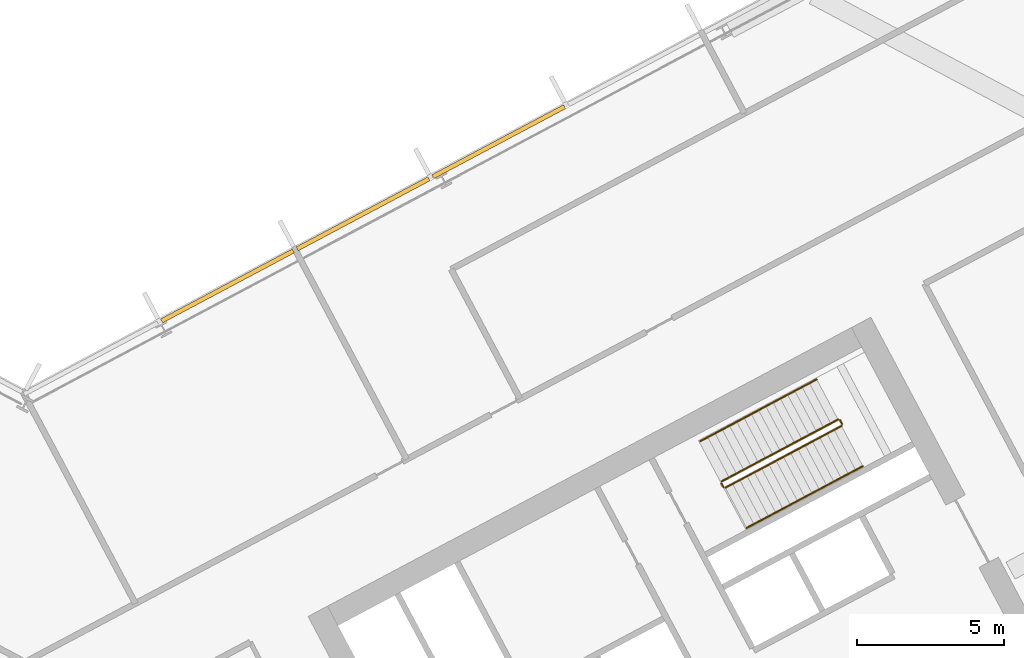
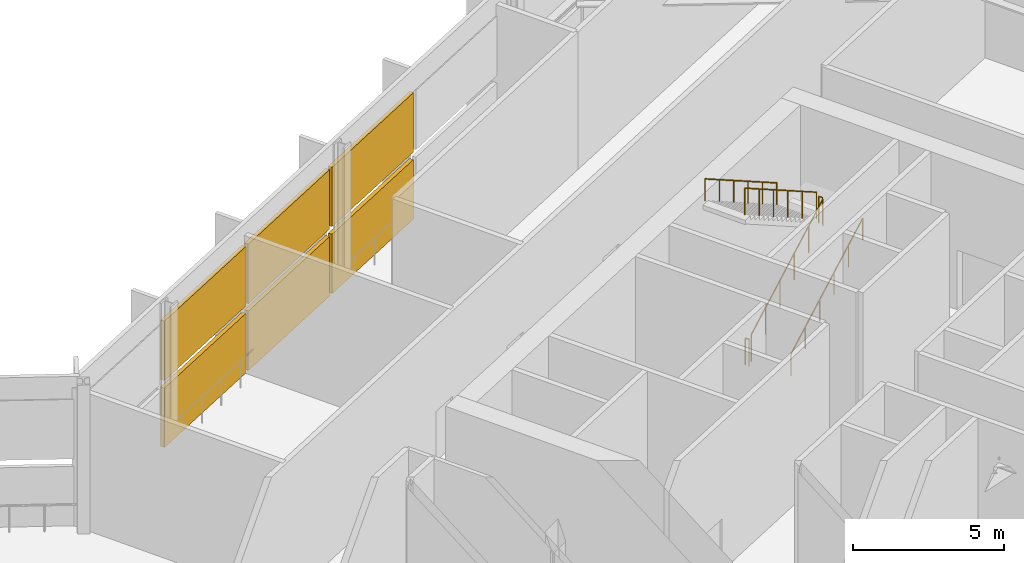
# One storey, part 31 of 33: 6 railings, 6 shading devices, 1 element without a shape of its own.
"""IFC4 building model written with IfcOpenShell, lengths in metres."""

from ifc_helpers import new_model, si_unit, direction, frame, origin, origin_2d, place, context, subcontext, project, spatial, polyline, rectangle, outline, extrude, material, layer, layer_set, type_object, element, aggregate, save


model = new_model("IFC4")

# Units and contexts
model_context = context("Model", 3, precision=1e-05, world=origin(), true_north=direction((0.0, 1.0)))
body_context = subcontext(model_context, "Body", "Model", "MODEL_VIEW")
ifc_project = project(units=[si_unit("LENGTHUNIT", "METRE"), si_unit("AREAUNIT", "SQUARE_METRE"), si_unit("VOLUMEUNIT", "CUBIC_METRE"), si_unit("PLANEANGLEUNIT", "RADIAN"), si_unit("MASSUNIT", "GRAM", prefix="KILO")], contexts=[model_context])

# Site, building, storey
site_placement = place(None, origin())
site = spatial("IfcSite", under=ifc_project, at=site_placement, CompositionType="ELEMENT")
building_placement = place(site_placement, origin())
building = spatial("IfcBuilding", under=site, at=building_placement, Name="Cormorant Relay Tower", CompositionType="ELEMENT")
storey_placement = place(building_placement, frame((0.0, 0.0, 183.60009765625)))
storey = spatial("IfcBuildingStorey", under=building, at=storey_placement, Name="L39", CompositionType="ELEMENT", Elevation=183.60009765625)

# Curtain wall, shading devices
ifc_material_1 = material(Name="Aluminium 6063-T6 anodised bronze", Category="aluminium")
ifc_layer = layer(ifc_material_1, 0.199951171875)
ifc_layer_set = layer_set([ifc_layer], Name="CW4 band louvre wall")
curtain_wall_type = type_object("IfcCurtainWallType", Name="CW4 band louvre wall", PredefinedType="NOTDEFINED", material=ifc_layer_set)
curtain_wall_placement = place(storey_placement, origin())
curtain_wall = element("IfcCurtainWall", 1, at=curtain_wall_placement, inside=storey, type_object=curtain_wall_type, Name="CW4 curtain wall 8", PredefinedType="NOTDEFINED")
ifc_material_2 = material(Name="Aluminium 6063-T6 anodised bronze louvre", Category="aluminium")
shading_device_type = type_object("IfcShadingDeviceType", Name="CW4 bronze louvre bank 150 x 2400", PredefinedType="USERDEFINED", material=ifc_material_2)
shading_device_1_placement = place(storey_placement, frame((16.125, 32.442626953125, 2.699951171875), z_axis=(0.0, 0.0, 1.0), x_axis=(-0.882947592859, -0.469471562786, 0.0)))
shading_device_1 = element("IfcShadingDevice", 2, at=shading_device_1_placement, type_object=shading_device_type, Name="CW4 louvre bank U8.5", ObjectType="LOUVRE", PredefinedType="USERDEFINED", context=body_context, shape_type="SweptSolid", body=[
    extrude(rectangle(XDim=5.079345703125, YDim=0.14990234375, at=origin_2d()), origin(), (0.0, 0.0, 1.0), 2.39990234375),
])
shading_device_2_placement = place(storey_placement, frame((16.125, 32.442626953125, 0.0), z_axis=(0.0, 0.0, 1.0), x_axis=(-0.882947592859, -0.469471562786, 0.0)))
shading_device_2 = element("IfcShadingDevice", 3, at=shading_device_2_placement, type_object=shading_device_type, Name="CW4 louvre bank D8.5", ObjectType="LOUVRE", PredefinedType="USERDEFINED", context=body_context, shape_type="SweptSolid", body=[
    extrude(rectangle(XDim=5.079345703125, YDim=0.14990234375, at=origin_2d()), origin(), (0.0, 0.0, 1.0), 2.39990234375),
])
shading_device_3_placement = place(storey_placement, frame((11.5078125, 29.98779296875, 2.699951171875), z_axis=(0.0, 0.0, 1.0), x_axis=(-0.882947592859, -0.469471562786, 0.0)))
shading_device_3 = element("IfcShadingDevice", 4, at=shading_device_3_placement, type_object=shading_device_type, Name="CW4 louvre bank U8.6", ObjectType="LOUVRE", PredefinedType="USERDEFINED", context=body_context, shape_type="SweptSolid", body=[
    extrude(rectangle(XDim=5.079345703125, YDim=0.14990234375, at=origin_2d()), origin(), (0.0, 0.0, 1.0), 2.39990234375),
])
shading_device_4_placement = place(storey_placement, frame((11.5078125, 29.98779296875, 0.0), z_axis=(0.0, 0.0, 1.0), x_axis=(-0.882947592859, -0.469471562786, 0.0)))
shading_device_4 = element("IfcShadingDevice", 5, at=shading_device_4_placement, type_object=shading_device_type, Name="CW4 louvre bank D8.6", ObjectType="LOUVRE", PredefinedType="USERDEFINED", context=body_context, shape_type="SweptSolid", body=[
    extrude(rectangle(XDim=5.079345703125, YDim=0.14990234375, at=origin_2d()), origin(), (0.0, 0.0, 1.0), 2.39990234375),
])
shading_device_5_placement = place(storey_placement, frame((6.890380859375, 27.53271484375, 2.699951171875), z_axis=(0.0, 0.0, 1.0), x_axis=(-0.882947592859, -0.469471562786, 0.0)))
shading_device_5 = element("IfcShadingDevice", 6, at=shading_device_5_placement, type_object=shading_device_type, Name="CW4 louvre bank U8.7", ObjectType="LOUVRE", PredefinedType="USERDEFINED", context=body_context, shape_type="SweptSolid", body=[
    extrude(rectangle(XDim=5.079345703125, YDim=0.14990234375, at=origin_2d()), origin(), (0.0, 0.0, 1.0), 2.39990234375),
])
shading_device_6_placement = place(storey_placement, frame((6.890380859375, 27.53271484375, 0.0), z_axis=(0.0, 0.0, 1.0), x_axis=(-0.882947592859, -0.469471562786, 0.0)))
shading_device_6 = element("IfcShadingDevice", 7, at=shading_device_6_placement, type_object=shading_device_type, Name="CW4 louvre bank D8.7", ObjectType="LOUVRE", PredefinedType="USERDEFINED", context=body_context, shape_type="SweptSolid", body=[
    extrude(rectangle(XDim=5.079345703125, YDim=0.14990234375, at=origin_2d()), origin(), (0.0, 0.0, 1.0), 2.39990234375),
])
aggregate(curtain_wall, [shading_device_1, shading_device_2, shading_device_3, shading_device_4, shading_device_5, shading_device_6])

# Railings
ifc_material_3 = material(Name="Steel ASTM A572 Grade 50 (Fy 345 MPa)", Category="steel")
railing_type_1 = type_object("IfcRailingType", Name="Stair guard 1100", PredefinedType="GUARDRAIL", material=ifc_material_3)
railing_1_placement = place(storey_placement, frame((23.8408203125, 20.6611328125, 0.17626953125)))
element("IfcRailing", 8, at=railing_1_placement, inside=storey, type_object=railing_type_1, Name="L39 B2 stair guard 1", PredefinedType="GUARDRAIL", context=body_context, shape_type="SweptSolid", body=[
    extrude(outline(polyline([(0.022216796875, 0.00927734375), (0.00927734375, 0.022216796875), (-0.00927734375, 0.022216796875), (-0.022216796875, 0.00927734375), (-0.022216796875, -0.00927734375), (-0.00927734375, -0.022216796875), (0.00927734375, -0.022216796875), (0.022216796875, -0.00927734375), (0.022216796875, 0.00927734375)])), frame((0.0, 0.0, 1.076171875), z_axis=(0.746962665788, 0.39713223078, 0.533228625633), x_axis=(-0.469439434157, 0.882964675204, 0.0)), (0.0, 0.0, 1.0), 5.295654296875),
    extrude(outline(polyline([(0.019287109375, 0.008056640625), (0.008056640625, 0.019287109375), (-0.008056640625, 0.019287109375), (-0.019287109375, 0.008056640625), (-0.019287109375, -0.008056640625), (-0.008056640625, -0.019287109375), (0.008056640625, -0.019287109375), (0.019287109375, -0.008056640625), (0.019287109375, 0.008056640625)])), origin(), (0.0, 0.0, 1.0), 1.052001953125),
    extrude(outline(polyline([(0.019287109375, 0.008056640625), (0.008056640625, 0.019287109375), (-0.008056640625, 0.019287109375), (-0.019287109375, 0.008056640625), (-0.019287109375, -0.008056640625), (-0.008056640625, -0.019287109375), (0.008056640625, -0.019287109375), (0.019287109375, -0.008056640625), (0.019287109375, 0.008056640625)])), frame((0.791015625, 0.420654296875, 0.564697265625)), (0.0, 0.0, 1.0), 1.052001953125),
    extrude(outline(polyline([(0.019287109375, 0.008056640625), (0.008056640625, 0.019287109375), (-0.008056640625, 0.019287109375), (-0.019287109375, 0.008056640625), (-0.019287109375, -0.008056640625), (-0.008056640625, -0.019287109375), (0.008056640625, -0.019287109375), (0.019287109375, -0.008056640625), (0.019287109375, 0.008056640625)])), frame((1.582275390625, 0.84130859375, 1.12939453125)), (0.0, 0.0, 1.0), 1.052001953125),
    extrude(outline(polyline([(0.019287109375, 0.008056640625), (0.008056640625, 0.019287109375), (-0.008056640625, 0.019287109375), (-0.019287109375, 0.008056640625), (-0.019287109375, -0.008056640625), (-0.008056640625, -0.019287109375), (0.008056640625, -0.019287109375), (0.019287109375, -0.008056640625), (0.019287109375, 0.008056640625)])), frame((2.373291015625, 1.26171875, 1.6943359375)), (0.0, 0.0, 1.0), 1.052001953125),
    extrude(outline(polyline([(0.019287109375, 0.008056640625), (0.008056640625, 0.019287109375), (-0.008056640625, 0.019287109375), (-0.019287109375, 0.008056640625), (-0.019287109375, -0.008056640625), (-0.008056640625, -0.019287109375), (0.008056640625, -0.019287109375), (0.019287109375, -0.008056640625), (0.019287109375, 0.008056640625)])), frame((3.16455078125, 1.682373046875, 2.259033203125)), (0.0, 0.0, 1.0), 1.052001953125),
    extrude(outline(polyline([(0.019287109375, 0.008056640625), (0.008056640625, 0.019287109375), (-0.008056640625, 0.019287109375), (-0.019287109375, 0.008056640625), (-0.019287109375, -0.008056640625), (-0.008056640625, -0.019287109375), (0.008056640625, -0.019287109375), (0.019287109375, -0.008056640625), (0.019287109375, 0.008056640625)])), frame((3.95556640625, 2.10302734375, 2.82373046875)), (0.0, 0.0, 1.0), 1.052001953125),
])
railing_2_placement = place(storey_placement, frame((27.817138671875, 22.831787109375, 3.0)))
element("IfcRailing", 9, at=railing_2_placement, inside=storey, type_object=railing_type_1, Name="L39 B2 stair guard 2", PredefinedType="GUARDRAIL", context=body_context, shape_type="SweptSolid", body=[
    extrude(outline(polyline([(0.022216796875, 0.00927734375), (0.00927734375, 0.022216796875), (-0.00927734375, 0.022216796875), (-0.022216796875, 0.00927734375), (-0.022216796875, -0.00927734375), (-0.00927734375, -0.022216796875), (0.00927734375, -0.022216796875), (0.022216796875, -0.00927734375), (0.022216796875, 0.00927734375)])), frame((0.0, 0.0, 1.076171875), z_axis=(-0.46856034887, 0.8834314911, 0.0), x_axis=(-0.8834314911, -0.46856034887, 0.0)), (0.0, 0.0, 1.0), 0.150146484375),
    extrude(outline(polyline([(0.019287109375, 0.008056640625), (0.008056640625, 0.019287109375), (-0.008056640625, 0.019287109375), (-0.019287109375, 0.008056640625), (-0.019287109375, -0.008056640625), (-0.008056640625, -0.019287109375), (0.008056640625, -0.019287109375), (0.019287109375, -0.008056640625), (0.019287109375, 0.008056640625)])), origin(), (0.0, 0.0, 1.0), 1.052001953125),
    extrude(outline(polyline([(0.019287109375, 0.008056640625), (0.008056640625, 0.019287109375), (-0.008056640625, 0.019287109375), (-0.019287109375, 0.008056640625), (-0.019287109375, -0.008056640625), (-0.008056640625, -0.019287109375), (0.008056640625, -0.019287109375), (0.019287109375, -0.008056640625), (0.019287109375, 0.008056640625)])), frame((-0.0703125, 0.132568359375, 0.0)), (0.0, 0.0, 1.0), 1.052001953125),
])
railing_3_placement = place(storey_placement, frame((27.67919921875, 22.985107421875, 3.17626953125)))
element("IfcRailing", 10, at=railing_3_placement, inside=storey, type_object=railing_type_1, Name="L39 B2 stair guard 3", PredefinedType="GUARDRAIL", context=body_context, shape_type="SweptSolid", body=[
    extrude(outline(polyline([(0.022216796875, 0.00927734375), (0.00927734375, 0.022216796875), (-0.00927734375, 0.022216796875), (-0.022216796875, 0.00927734375), (-0.022216796875, -0.00927734375), (-0.00927734375, -0.022216796875), (0.00927734375, -0.022216796875), (0.022216796875, -0.00927734375), (0.022216796875, 0.00927734375)])), frame((0.0, 0.0, 1.076171875), z_axis=(-0.746969368455, -0.397157385005, 0.533200500867), x_axis=(0.469459331058, -0.882954096475, 0.0)), (0.0, 0.0, 1.0), 5.2958984375),
    extrude(outline(polyline([(0.019287109375, 0.008056640625), (0.008056640625, 0.019287109375), (-0.008056640625, 0.019287109375), (-0.019287109375, 0.008056640625), (-0.019287109375, -0.008056640625), (-0.008056640625, -0.019287109375), (0.008056640625, -0.019287109375), (0.019287109375, -0.008056640625), (0.019287109375, 0.008056640625)])), origin(), (0.0, 0.0, 1.0), 1.052001953125),
    extrude(outline(polyline([(0.019287109375, 0.008056640625), (0.008056640625, 0.019287109375), (-0.008056640625, 0.019287109375), (-0.019287109375, 0.008056640625), (-0.019287109375, -0.008056640625), (-0.008056640625, -0.019287109375), (0.008056640625, -0.019287109375), (0.019287109375, -0.008056640625), (0.019287109375, 0.008056640625)])), frame((-0.791259765625, -0.420654296875, 0.564697265625)), (0.0, 0.0, 1.0), 1.052001953125),
    extrude(outline(polyline([(0.019287109375, 0.008056640625), (0.008056640625, 0.019287109375), (-0.008056640625, 0.019287109375), (-0.019287109375, 0.008056640625), (-0.019287109375, -0.008056640625), (-0.008056640625, -0.019287109375), (0.008056640625, -0.019287109375), (0.019287109375, -0.008056640625), (0.019287109375, 0.008056640625)])), frame((-1.582275390625, -0.84130859375, 1.12939453125)), (0.0, 0.0, 1.0), 1.052001953125),
    extrude(outline(polyline([(0.019287109375, 0.008056640625), (0.008056640625, 0.019287109375), (-0.008056640625, 0.019287109375), (-0.019287109375, 0.008056640625), (-0.019287109375, -0.008056640625), (-0.008056640625, -0.019287109375), (0.008056640625, -0.019287109375), (0.019287109375, -0.008056640625), (0.019287109375, 0.008056640625)])), frame((-2.37353515625, -1.261962890625, 1.6943359375)), (0.0, 0.0, 1.0), 1.052001953125),
    extrude(outline(polyline([(0.019287109375, 0.008056640625), (0.008056640625, 0.019287109375), (-0.008056640625, 0.019287109375), (-0.019287109375, 0.008056640625), (-0.019287109375, -0.008056640625), (-0.008056640625, -0.019287109375), (0.008056640625, -0.019287109375), (0.019287109375, -0.008056640625), (0.019287109375, 0.008056640625)])), frame((-3.16455078125, -1.6826171875, 2.259033203125)), (0.0, 0.0, 1.0), 1.052001953125),
    extrude(outline(polyline([(0.019287109375, 0.008056640625), (0.008056640625, 0.019287109375), (-0.008056640625, 0.019287109375), (-0.019287109375, 0.008056640625), (-0.019287109375, -0.008056640625), (-0.008056640625, -0.019287109375), (0.008056640625, -0.019287109375), (0.019287109375, -0.008056640625), (0.019287109375, 0.008056640625)])), frame((-3.955810546875, -2.103271484375, 2.82373046875)), (0.0, 0.0, 1.0), 1.052001953125),
])
railing_4_placement = place(storey_placement, frame((23.773193359375, 20.681640625, 0.0)))
element("IfcRailing", 11, at=railing_4_placement, inside=storey, type_object=railing_type_1, Name="L39 B2 stair guard 4", PredefinedType="GUARDRAIL", context=body_context, shape_type="SweptSolid", body=[
    extrude(outline(polyline([(0.022216796875, 0.00927734375), (0.00927734375, 0.022216796875), (-0.00927734375, 0.022216796875), (-0.022216796875, 0.00927734375), (-0.022216796875, -0.00927734375), (-0.00927734375, -0.022216796875), (0.00927734375, -0.022216796875), (0.022216796875, -0.00927734375), (0.022216796875, 0.00927734375)])), frame((0.0, 0.0, 1.076171875), z_axis=(-0.46856034887, 0.8834314911, 0.0), x_axis=(-0.8834314911, -0.46856034887, 0.0)), (0.0, 0.0, 1.0), 0.150146484375),
    extrude(outline(polyline([(0.019287109375, 0.008056640625), (0.008056640625, 0.019287109375), (-0.008056640625, 0.019287109375), (-0.019287109375, 0.008056640625), (-0.019287109375, -0.008056640625), (-0.008056640625, -0.019287109375), (0.008056640625, -0.019287109375), (0.019287109375, -0.008056640625), (0.019287109375, 0.008056640625)])), origin(), (0.0, 0.0, 1.0), 1.052001953125),
    extrude(outline(polyline([(0.019287109375, 0.008056640625), (0.008056640625, 0.019287109375), (-0.008056640625, 0.019287109375), (-0.019287109375, 0.008056640625), (-0.019287109375, -0.008056640625), (-0.008056640625, -0.019287109375), (0.008056640625, -0.019287109375), (0.019287109375, -0.008056640625), (0.019287109375, 0.008056640625)])), frame((-0.0703125, 0.132568359375, 0.0)), (0.0, 0.0, 1.0), 1.052001953125),
])
ifc_material_4 = material(Name="Steel ASTM A572 Grade 50 (Fy 345 MPa)", Category="steel")
railing_type_2 = type_object("IfcRailingType", Name="Stair handrail 900", PredefinedType="HANDRAIL", material=ifc_material_4)
railing_5_placement = place(storey_placement, frame((24.568603515625, 19.29248046875, 0.17626953125)))
element("IfcRailing", 12, at=railing_5_placement, inside=storey, type_object=railing_type_2, Name="L39 B2 stair handrail 1", PredefinedType="HANDRAIL", context=body_context, shape_type="SweptSolid", body=[
    extrude(outline(polyline([(0.022216796875, 0.00927734375), (0.00927734375, 0.022216796875), (-0.00927734375, 0.022216796875), (-0.022216796875, 0.00927734375), (-0.022216796875, -0.00927734375), (-0.00927734375, -0.022216796875), (0.00927734375, -0.022216796875), (0.022216796875, -0.00927734375), (0.022216796875, 0.00927734375)])), frame((0.0, 0.0, 0.8759765625), z_axis=(0.746948989206, 0.397171061721, 0.533218862434), x_axis=(-0.469481920044, 0.882942085729, 0.0)), (0.0, 0.0, 1.0), 5.295654296875),
    extrude(outline(polyline([(0.019287109375, 0.008056640625), (0.008056640625, 0.019287109375), (-0.008056640625, 0.019287109375), (-0.019287109375, 0.008056640625), (-0.019287109375, -0.008056640625), (-0.008056640625, -0.019287109375), (0.008056640625, -0.019287109375), (0.019287109375, -0.008056640625), (0.019287109375, 0.008056640625)])), origin(), (0.0, 0.0, 1.0), 0.851806640625),
    extrude(outline(polyline([(0.019287109375, 0.008056640625), (0.008056640625, 0.019287109375), (-0.008056640625, 0.019287109375), (-0.019287109375, 0.008056640625), (-0.019287109375, -0.008056640625), (-0.008056640625, -0.019287109375), (0.008056640625, -0.019287109375), (0.019287109375, -0.008056640625), (0.019287109375, 0.008056640625)])), frame((0.791015625, 0.420654296875, 0.564697265625)), (0.0, 0.0, 1.0), 0.851806640625),
    extrude(outline(polyline([(0.019287109375, 0.008056640625), (0.008056640625, 0.019287109375), (-0.008056640625, 0.019287109375), (-0.019287109375, 0.008056640625), (-0.019287109375, -0.008056640625), (-0.008056640625, -0.019287109375), (0.008056640625, -0.019287109375), (0.019287109375, -0.008056640625), (0.019287109375, 0.008056640625)])), frame((1.582275390625, 0.84130859375, 1.12939453125)), (0.0, 0.0, 1.0), 0.851806640625),
    extrude(outline(polyline([(0.019287109375, 0.008056640625), (0.008056640625, 0.019287109375), (-0.008056640625, 0.019287109375), (-0.019287109375, 0.008056640625), (-0.019287109375, -0.008056640625), (-0.008056640625, -0.019287109375), (0.008056640625, -0.019287109375), (0.019287109375, -0.008056640625), (0.019287109375, 0.008056640625)])), frame((2.373291015625, 1.261962890625, 1.6943359375)), (0.0, 0.0, 1.0), 0.851806640625),
    extrude(outline(polyline([(0.019287109375, 0.008056640625), (0.008056640625, 0.019287109375), (-0.008056640625, 0.019287109375), (-0.019287109375, 0.008056640625), (-0.019287109375, -0.008056640625), (-0.008056640625, -0.019287109375), (0.008056640625, -0.019287109375), (0.019287109375, -0.008056640625), (0.019287109375, 0.008056640625)])), frame((3.16455078125, 1.6826171875, 2.259033203125)), (0.0, 0.0, 1.0), 0.851806640625),
    extrude(outline(polyline([(0.019287109375, 0.008056640625), (0.008056640625, 0.019287109375), (-0.008056640625, 0.019287109375), (-0.019287109375, 0.008056640625), (-0.019287109375, -0.008056640625), (-0.008056640625, -0.019287109375), (0.008056640625, -0.019287109375), (0.019287109375, -0.008056640625), (0.019287109375, 0.008056640625)])), frame((3.95556640625, 2.103271484375, 2.82373046875)), (0.0, 0.0, 1.0), 0.851806640625),
])
railing_6_placement = place(storey_placement, frame((26.951416015625, 24.353515625, 3.17626953125)))
element("IfcRailing", 13, at=railing_6_placement, inside=storey, type_object=railing_type_2, Name="L39 B2 stair handrail 2", PredefinedType="HANDRAIL", context=body_context, shape_type="SweptSolid", body=[
    extrude(outline(polyline([(0.022216796875, 0.00927734375), (0.00927734375, 0.022216796875), (-0.00927734375, 0.022216796875), (-0.022216796875, 0.00927734375), (-0.022216796875, -0.00927734375), (-0.00927734375, -0.022216796875), (0.00927734375, -0.022216796875), (0.022216796875, -0.00927734375), (0.022216796875, 0.00927734375)])), frame((0.0, 0.0, 0.8759765625), z_axis=(-0.746948989206, -0.397171061721, 0.533218862434), x_axis=(0.469481920044, -0.882942085729, 0.0)), (0.0, 0.0, 1.0), 5.295654296875),
    extrude(outline(polyline([(0.019287109375, 0.008056640625), (0.008056640625, 0.019287109375), (-0.008056640625, 0.019287109375), (-0.019287109375, 0.008056640625), (-0.019287109375, -0.008056640625), (-0.008056640625, -0.019287109375), (0.008056640625, -0.019287109375), (0.019287109375, -0.008056640625), (0.019287109375, 0.008056640625)])), origin(), (0.0, 0.0, 1.0), 0.851806640625),
    extrude(outline(polyline([(0.019287109375, 0.008056640625), (0.008056640625, 0.019287109375), (-0.008056640625, 0.019287109375), (-0.019287109375, 0.008056640625), (-0.019287109375, -0.008056640625), (-0.008056640625, -0.019287109375), (0.008056640625, -0.019287109375), (0.019287109375, -0.008056640625), (0.019287109375, 0.008056640625)])), frame((-0.791015625, -0.420654296875, 0.564697265625)), (0.0, 0.0, 1.0), 0.851806640625),
    extrude(outline(polyline([(0.019287109375, 0.008056640625), (0.008056640625, 0.019287109375), (-0.008056640625, 0.019287109375), (-0.019287109375, 0.008056640625), (-0.019287109375, -0.008056640625), (-0.008056640625, -0.019287109375), (0.008056640625, -0.019287109375), (0.019287109375, -0.008056640625), (0.019287109375, 0.008056640625)])), frame((-1.582275390625, -0.84130859375, 1.12939453125)), (0.0, 0.0, 1.0), 0.851806640625),
    extrude(outline(polyline([(0.019287109375, 0.008056640625), (0.008056640625, 0.019287109375), (-0.008056640625, 0.019287109375), (-0.019287109375, 0.008056640625), (-0.019287109375, -0.008056640625), (-0.008056640625, -0.019287109375), (0.008056640625, -0.019287109375), (0.019287109375, -0.008056640625), (0.019287109375, 0.008056640625)])), frame((-2.373291015625, -1.261962890625, 1.6943359375)), (0.0, 0.0, 1.0), 0.851806640625),
    extrude(outline(polyline([(0.019287109375, 0.008056640625), (0.008056640625, 0.019287109375), (-0.008056640625, 0.019287109375), (-0.019287109375, 0.008056640625), (-0.019287109375, -0.008056640625), (-0.008056640625, -0.019287109375), (0.008056640625, -0.019287109375), (0.019287109375, -0.008056640625), (0.019287109375, 0.008056640625)])), frame((-3.16455078125, -1.6826171875, 2.259033203125)), (0.0, 0.0, 1.0), 0.851806640625),
    extrude(outline(polyline([(0.019287109375, 0.008056640625), (0.008056640625, 0.019287109375), (-0.008056640625, 0.019287109375), (-0.019287109375, 0.008056640625), (-0.019287109375, -0.008056640625), (-0.008056640625, -0.019287109375), (0.008056640625, -0.019287109375), (0.019287109375, -0.008056640625), (0.019287109375, 0.008056640625)])), frame((-3.95556640625, -2.103271484375, 2.82373046875)), (0.0, 0.0, 1.0), 0.851806640625),
])

save(model, "model.ifc")
